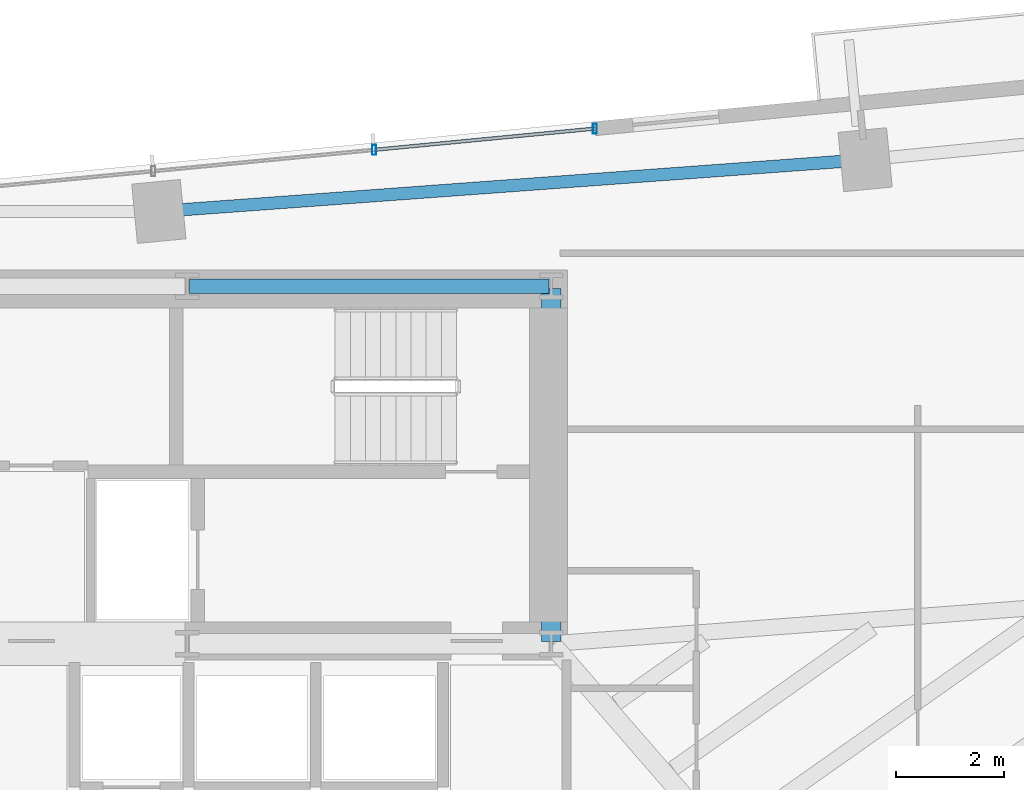
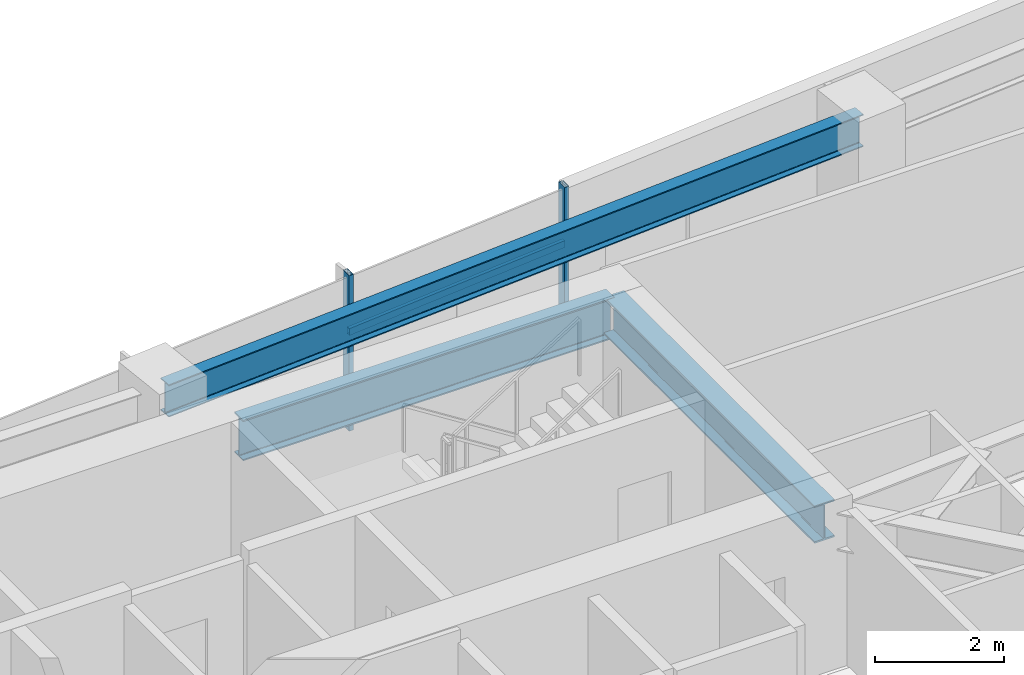
# One storey, part 15 of 25: 3 beams, 3 members, 1 element without a shape of its own.
"""IFC4 building model written with IfcOpenShell, lengths in metres."""

from ifc_helpers import new_model, si_unit, direction, frame, origin, origin_2d, place, context, subcontext, project, spatial, hollow_rectangle, i_section, extrude, source, transform, mapped, material, material_profile, profile_set, type_object, type_shapes, element, aggregate, save


model = new_model("IFC4")

# Units and contexts
model_context = context("Model", 3, precision=1e-05, world=origin(), true_north=direction((0.0, 1.0)))
body_context = subcontext(model_context, "Body", "Model", "MODEL_VIEW")
ifc_project = project(units=[si_unit("LENGTHUNIT", "METRE"), si_unit("AREAUNIT", "SQUARE_METRE"), si_unit("VOLUMEUNIT", "CUBIC_METRE"), si_unit("PLANEANGLEUNIT", "RADIAN"), si_unit("MASSUNIT", "GRAM", prefix="KILO")], contexts=[model_context])

# Site, building, storey
site_placement = place(None, origin())
site = spatial("IfcSite", under=ifc_project, at=site_placement, CompositionType="ELEMENT")
building_placement = place(site_placement, origin())
building = spatial("IfcBuilding", under=site, at=building_placement, Name="Astriad Promenade Condominiums", CompositionType="ELEMENT")
storey_placement = place(building_placement, frame((0.0, 0.0, 106.60009765625)))
storey = spatial("IfcBuildingStorey", under=building, at=storey_placement, Name="L30", CompositionType="ELEMENT", Elevation=106.60009765625)

# Beams
ifc_material_1 = material(Name="Steel ASTM A992 Grade 50", Category="steel")
ifc_material_profile_1 = material_profile(ifc_material_1, i_section(OverallWidth=0.267822265625, OverallDepth=0.76953125, WebThickness=0.015625, FlangeThickness=0.025390625, FilletRadius=0.021484375, at=origin_2d()), Name="W30X132")
ifc_profile_set_1 = profile_set([ifc_material_profile_1], Name="Steel ASTM A992 Grade 50")
beam_type_1 = type_object("IfcBeamType", Name="STEEL FLOOR GIRDER W30X132", PredefinedType="BEAM", material=ifc_profile_set_1)
shared_shape_1 = source(origin(), body_context, "Body", "SweptSolid", [
    extrude(i_section(OverallWidth=0.267822265625, OverallDepth=0.76953125, WebThickness=0.015625, FlangeThickness=0.025390625, FilletRadius=0.021484375, at=origin_2d()), origin(), (0.0, 0.0, 1.0), 6.64013671875),
])
type_shapes(beam_type_1, [shared_shape_1])
beam_1_placement = place(storey_placement, frame((38.919921875, 24.0, 2.55517578125), z_axis=(1.0, 0.0, 0.0), x_axis=(0.0, 1.0, 0.0)))
element("IfcBeam", 1, at=beam_1_placement, inside=storey, type_object=beam_type_1, Name="Core Ring Beam CG-N3-L30", PredefinedType="BEAM", context=body_context, shape_type="MappedRepresentation", body=[
    mapped(shared_shape_1, transform((0.0, 0.0, 0.0), scale=1.0)),
])
ifc_material_profile_2 = material_profile(ifc_material_1, i_section(OverallWidth=0.35791015625, OverallDepth=0.706298828125, WebThickness=0.018310546875, FlangeThickness=0.0302734375, FilletRadius=0.020263671875, at=origin_2d()), Name="W27X178")
ifc_profile_set_2 = profile_set([ifc_material_profile_2], Name="Steel ASTM A992 Grade 50")
beam_type_2 = type_object("IfcBeamType", Name="STEEL FLOOR GIRDER W27X178", PredefinedType="BEAM", material=ifc_profile_set_2)
shared_shape_2 = source(origin(), body_context, "Body", "SweptSolid", [
    extrude(i_section(OverallWidth=0.35791015625, OverallDepth=0.706298828125, WebThickness=0.018310546875, FlangeThickness=0.0302734375, FilletRadius=0.020263671875, at=origin_2d()), origin(), (0.0, 0.0, 1.0), 6.52001953125),
])
type_shapes(beam_type_2, [shared_shape_2])
beam_2_placement = place(storey_placement, frame((45.60009765625, 17.43994140625, 2.586669921875), z_axis=(0.0, 1.0, 0.0), x_axis=(-1.0, 0.0, 0.0)))
element("IfcBeam", 2, at=beam_2_placement, inside=storey, type_object=beam_type_2, Name="Core Ring Beam CG-E1-L30", PredefinedType="BEAM", context=body_context, shape_type="MappedRepresentation", body=[
    mapped(shared_shape_2, transform((0.0, 0.0, 0.0), scale=1.0)),
])
ifc_material_profile_3 = material_profile(ifc_material_1, i_section(OverallWidth=0.22900390625, OverallDepth=0.612060546875, WebThickness=0.011962890625, FlangeThickness=0.01953125, FilletRadius=0.017822265625, at=origin_2d()), Name="W24X84")
ifc_profile_set_3 = profile_set([ifc_material_profile_3], Name="Steel ASTM A992 Grade 50")
beam_type_3 = type_object("IfcBeamType", Name="STEEL SPANDREL BEAM W24X84", PredefinedType="SPANDREL", material=ifc_profile_set_3)
shared_shape_3 = source(origin(), body_context, "Body", "SweptSolid", [
    extrude(i_section(OverallWidth=0.22900390625, OverallDepth=0.612060546875, WebThickness=0.011962890625, FlangeThickness=0.01953125, FilletRadius=0.017822265625, at=origin_2d()), origin(), (0.0, 0.0, 1.0), 12.99462890625),
])
type_shapes(beam_type_3, [shared_shape_3])
beam_3_placement = place(storey_placement, frame((51.3544921875, 26.33203125, 2.6337890625), z_axis=(-0.997328518297, -0.073046742505, 0.0), x_axis=(0.073046742505, -0.997328518297, 0.0)))
element("IfcBeam", 3, at=beam_3_placement, inside=storey, type_object=beam_type_3, Name="Perimeter Spandrel Beam SP-N3-L30", PredefinedType="SPANDREL", context=body_context, shape_type="MappedRepresentation", body=[
    mapped(shared_shape_3, transform((0.0, 0.0, 0.0), scale=1.0)),
])

# Curtain wall, members
ifc_material_2 = material(Name="Anodised aluminium Black Dark Glass Unitised", Category="aluminium")
curtain_wall_type = type_object("IfcCurtainWallType", Name="CW-B2-DARK", PredefinedType="USERDEFINED", material=ifc_material_2)
curtain_wall_placement = place(storey_placement, origin())
curtain_wall = element("IfcCurtainWall", 4, at=curtain_wall_placement, inside=storey, type_object=curtain_wall_type, Name="CW-L30-N", ObjectType="UNITISED_CURTAIN_WALL", PredefinedType="USERDEFINED")
ifc_material_3 = material(Name="Anodised aluminium 6063-T6 Black", Category="aluminium")
ifc_material_profile_4 = material_profile(ifc_material_3, hollow_rectangle(XDim=0.074951171875, YDim=0.18505859375, WallThickness=0.00439453125, at=origin_2d()), Name="ALU-MUL-75X185")
ifc_profile_set_4 = profile_set([ifc_material_profile_4], Name="Anodised aluminium 6063-T6 Black")
member_type_1 = type_object("IfcMemberType", Name="MUL-ALU-MUL-75X185", PredefinedType="MULLION", material=ifc_profile_set_4)
shared_shape_4 = source(origin(), body_context, "Body", "SweptSolid", [
    extrude(hollow_rectangle(XDim=0.074951171875, YDim=0.18505859375, WallThickness=0.00439453125, at=origin_2d()), origin(), (0.0, 0.0, 1.0), 2.93994140625),
])
type_shapes(member_type_1, [shared_shape_4])
member_1_placement = place(storey_placement, frame((42.330078125, 26.51708984375, 0.0), z_axis=(0.0, 0.0, 1.0), x_axis=(1.0, 0.0, 0.0)))
member_1 = element("IfcMember", 5, at=member_1_placement, type_object=member_type_1, Name="CW-L30-N-MUL-03", PredefinedType="MULLION", context=body_context, shape_type="MappedRepresentation", body=[
    mapped(shared_shape_4, transform((0.0, 0.0, 0.0), scale=1.0)),
])
member_2_placement = place(storey_placement, frame((46.40625, 26.90966796875, 0.0), z_axis=(0.0, 0.0, 1.0), x_axis=(1.0, 0.0, 0.0)))
member_2 = element("IfcMember", 6, at=member_2_placement, type_object=member_type_1, Name="CW-L30-N-MUL-04", PredefinedType="MULLION", context=body_context, shape_type="MappedRepresentation", body=[
    mapped(shared_shape_4, transform((0.0, 0.0, 0.0), scale=1.0)),
])
ifc_material_profile_5 = material_profile(ifc_material_3, hollow_rectangle(XDim=0.06494140625, YDim=0.1298828125, WallThickness=0.00390625, at=origin_2d()), Name="ALU-TRN-65X130")
ifc_profile_set_5 = profile_set([ifc_material_profile_5], Name="Anodised aluminium 6063-T6 Black")
member_type_2 = type_object("IfcMemberType", Name="TRN-ALU-TRN-65X130", PredefinedType="USERDEFINED", material=ifc_profile_set_5)
shared_shape_5 = source(origin(), body_context, "Body", "SweptSolid", [
    extrude(hollow_rectangle(XDim=0.06494140625, YDim=0.1298828125, WallThickness=0.00390625, at=origin_2d()), origin(), (0.0, 0.0, 1.0), 4.094970703125),
])
type_shapes(member_type_2, [shared_shape_5])
member_3_placement = place(storey_placement, frame((42.330078125, 26.51708984375, 1.82275390625), z_axis=(0.995394161585, 0.09586690296, 0.0), x_axis=(-0.09586690296, 0.995394161585, 0.0)))
member_3 = element("IfcMember", 7, at=member_3_placement, type_object=member_type_2, Name="CW-L30-N-TRN-03-0", ObjectType="TRANSOM", PredefinedType="USERDEFINED", context=body_context, shape_type="MappedRepresentation", body=[
    mapped(shared_shape_5, transform((0.0, 0.0, 0.0), scale=1.0)),
])
aggregate(curtain_wall, [member_1, member_2, member_3])

save(model, "model.ifc")
